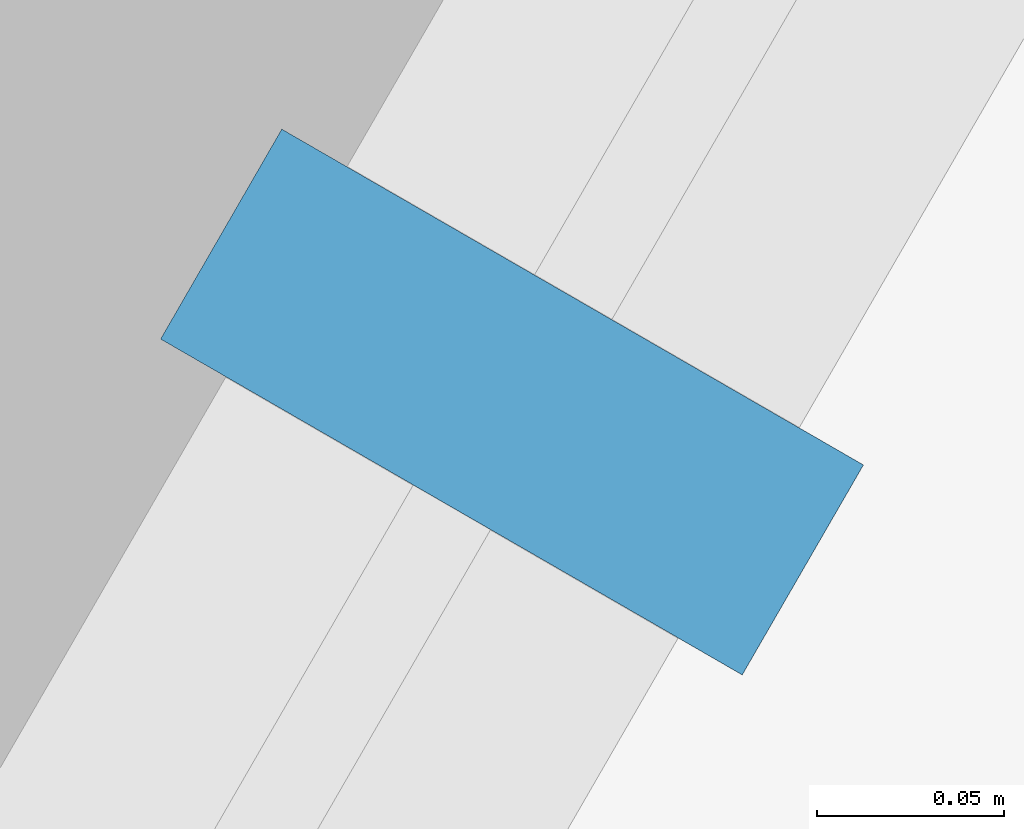
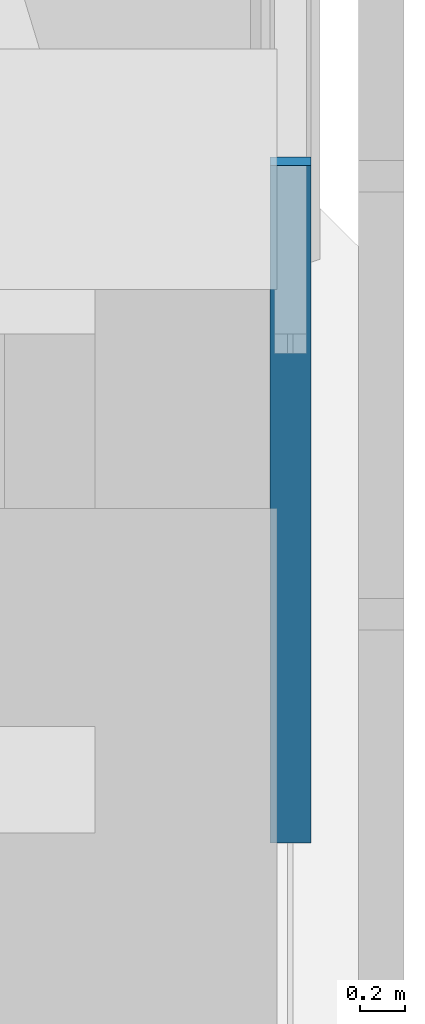
# One storey, part 129 of 256: 1 member, 1 element without a shape of its own.
"""IFC4 building model written with IfcOpenShell, lengths in metres."""

from ifc_helpers import new_model, si_unit, direction, frame, origin, origin_2d, place, context, subcontext, project, spatial, rectangle, extrude, material, material_profile, profile_set, type_object, element, aggregate, save


model = new_model("IFC4")

# Units and contexts
model_context = context("Model", 3, precision=1e-05, world=origin(), true_north=direction((0.0, 1.0)))
body_context = subcontext(model_context, "Body", "Model", "MODEL_VIEW")
ifc_project = project(units=[si_unit("LENGTHUNIT", "METRE"), si_unit("AREAUNIT", "SQUARE_METRE"), si_unit("VOLUMEUNIT", "CUBIC_METRE"), si_unit("PLANEANGLEUNIT", "RADIAN"), si_unit("MASSUNIT", "GRAM", prefix="KILO")], contexts=[model_context])

# Site, building, storey
site_placement = place(None, origin())
site = spatial("IfcSite", under=ifc_project, at=site_placement, CompositionType="ELEMENT")
building_placement = place(site_placement, origin())
building = spatial("IfcBuilding", under=site, at=building_placement, Name="Sandreach Pilgrim Tower", CompositionType="ELEMENT")
storey_placement = place(building_placement, frame((0.0, 0.0, 23.0)))
storey = spatial("IfcBuildingStorey", under=building, at=storey_placement, Name="L04", CompositionType="ELEMENT", Elevation=23.0)

# Curtain wall, member
ifc_material_1 = material(Name="Aluminium framed curtain wall", Category="aluminium")
curtain_wall_type = type_object("IfcCurtainWallType", Name="Hostel tower curtain wall", PredefinedType="NOTDEFINED", material=ifc_material_1)
curtain_wall_placement = place(storey_placement, origin())
curtain_wall = element("IfcCurtainWall", 1, at=curtain_wall_placement, inside=storey, type_object=curtain_wall_type, Name="CW-1 L04 SE", PredefinedType="NOTDEFINED")
ifc_material_2 = material(Name="Aluminium extrusion", Category="aluminium")
ifc_material_profile = material_profile(ifc_material_2, rectangle(XDim=0.06494140625, YDim=0.179931640625, at=origin_2d()), Name="CW-1M 65X180")
ifc_profile_set = profile_set([ifc_material_profile], Name="Aluminium extrusion")
member_type = type_object("IfcMemberType", Name="CW-1 mullion", PredefinedType="MULLION", material=ifc_profile_set)
member_placement = place(storey_placement, frame((28.390380859375, 1.2763671875, 0.0), z_axis=(0.0, 0.0, 1.0), x_axis=(-0.5, -0.866025403784, 0.0)))
member = element("IfcMember", 2, at=member_placement, type_object=member_type, Name="CW-1 mullion 2", PredefinedType="MULLION", context=body_context, shape_type="SweptSolid", body=[
    extrude(rectangle(XDim=0.06494140625, YDim=0.179931640625, at=origin_2d()), origin(), (0.0, 0.0, 1.0), 3.639892578125),
])
aggregate(curtain_wall, [member])

save(model, "model.ifc")
